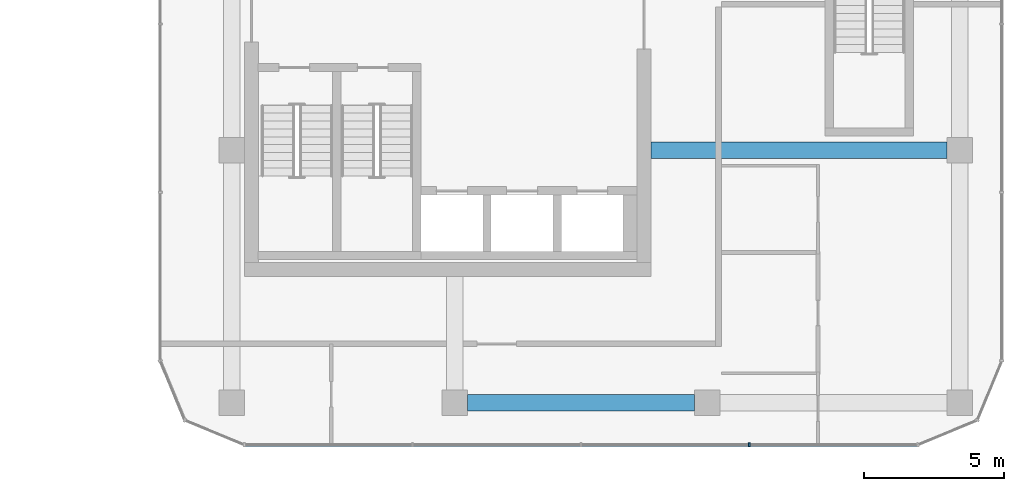
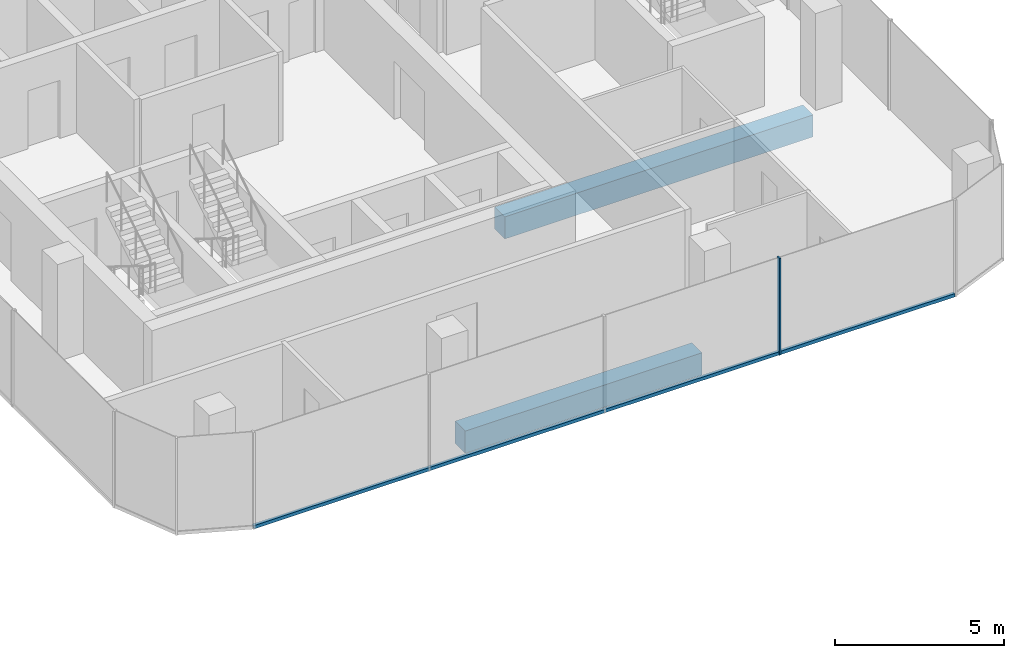
# One storey, part 8 of 22: 2 beams, 2 members, 1 element without a shape of its own.
"""IFC4 building model written with IfcOpenShell, lengths in metres."""

from ifc_helpers import new_model, si_unit, direction, frame, origin, origin_2d, place, context, subcontext, project, spatial, rectangle, extrude, material, layer, layer_set, material_profile, profile_set, type_object, element, aggregate, save


model = new_model("IFC4")

# Units and contexts
model_context = context("Model", 3, precision=1e-05, world=origin(), true_north=direction((0.0, 1.0)))
body_context = subcontext(model_context, "Body", "Model", "MODEL_VIEW")
ifc_project = project(units=[si_unit("LENGTHUNIT", "METRE"), si_unit("AREAUNIT", "SQUARE_METRE"), si_unit("VOLUMEUNIT", "CUBIC_METRE"), si_unit("PLANEANGLEUNIT", "RADIAN"), si_unit("MASSUNIT", "GRAM", prefix="KILO")], contexts=[model_context])

# Site, building, storey
site_placement = place(None, origin())
site = spatial("IfcSite", under=ifc_project, at=site_placement, CompositionType="ELEMENT")
building_placement = place(site_placement, origin())
building = spatial("IfcBuilding", under=site, at=building_placement, Name="Plateau Cross Towers", CompositionType="ELEMENT")
storey_placement = place(building_placement, frame((0.0, 0.0, 61.800048828125)))
storey = spatial("IfcBuildingStorey", under=building, at=storey_placement, Name="L15", CompositionType="ELEMENT", Elevation=61.800048828125)

# Beam
ifc_material_1 = material(Name="Concrete C60/75", Category="concrete")
ifc_material_profile_1 = material_profile(ifc_material_1, rectangle(XDim=0.60009765625, YDim=0.800048828125, at=origin_2d()), Name="RC 600x800")
ifc_profile_set_1 = profile_set([ifc_material_profile_1], Name="Concrete C60/75")
beam_type_1 = type_object("IfcBeamType", Name="Core beam RC 600x800", PredefinedType="BEAM", material=ifc_profile_set_1)
beam_1_placement = place(storey_placement, frame((89.5, 4.5, -0.650146484375), z_axis=(1.0, 0.0, 0.0), x_axis=(0.0, 1.0, 0.0)))
element("IfcBeam", 1, at=beam_1_placement, inside=storey, type_object=beam_type_1, Name="B-CB02@L15", PredefinedType="BEAM", context=body_context, shape_type="SweptSolid", body=[
    extrude(rectangle(XDim=0.60009765625, YDim=0.800048828125, at=origin_2d()), origin(), (0.0, 0.0, 1.0), 10.550048828125),
])

# Curtain wall, member
ifc_material_2 = material(Name="Dark low-iron glass", Category="glass")
ifc_layer = layer(ifc_material_2, 0.239990234375)
ifc_layer_set = layer_set([ifc_layer], Name="Dark low-iron glass")
curtain_wall_type = type_object("IfcCurtainWallType", Name="Curtain wall office unitised CW-F", PredefinedType="NOTDEFINED", material=ifc_layer_set)
curtain_wall_placement = place(storey_placement, origin())
curtain_wall = element("IfcCurtainWall", 2, at=curtain_wall_placement, inside=storey, type_object=curtain_wall_type, Name="ENV/B/L15/B750_-60", PredefinedType="NOTDEFINED")
ifc_material_3 = material(Name="Black anodised aluminium", Category="aluminium")
ifc_material_profile_2 = material_profile(ifc_material_3, rectangle(XDim=0.06005859375, YDim=0.139892578125, at=origin_2d()), Name="MULLION 60x140")
ifc_profile_set_2 = profile_set([ifc_material_profile_2], Name="Black anodised aluminium")
member_type_1 = type_object("IfcMemberType", Name="Mullion 60x140 office unitised", PredefinedType="MULLION", material=ifc_profile_set_2)
member_1_placement = place(storey_placement, frame((93.0, -6.0, -0.25), z_axis=(0.0, 0.0, 1.0), x_axis=(1.0, 0.0, 0.0)))
member_1 = element("IfcMember", 3, at=member_1_placement, type_object=member_type_1, Name="CW-F mullion 4", PredefinedType="MULLION", context=body_context, shape_type="SweptSolid", body=[
    extrude(rectangle(XDim=0.06005859375, YDim=0.139892578125, at=origin_2d()), origin(), (0.0, 0.0, 1.0), 3.5),
])

# Beam
ifc_material_profile_3 = material_profile(ifc_material_1, rectangle(XDim=0.60009765625, YDim=0.800048828125, at=origin_2d()), Name="RC 600x800")
ifc_profile_set_3 = profile_set([ifc_material_profile_3], Name="Concrete C60/75")
beam_type_2 = type_object("IfcBeamType", Name="Ring beam RC 600x800", PredefinedType="BEAM", material=ifc_profile_set_3)
beam_2_placement = place(storey_placement, frame((82.949951171875, -4.5, -0.650146484375), z_axis=(1.0, 0.0, 0.0), x_axis=(0.0, 1.0, 0.0)))
element("IfcBeam", 4, at=beam_2_placement, inside=storey, type_object=beam_type_2, Name="B-RB01@L15", PredefinedType="BEAM", context=body_context, shape_type="SweptSolid", body=[
    extrude(rectangle(XDim=0.60009765625, YDim=0.800048828125, at=origin_2d()), origin(), (0.0, 0.0, 1.0), 8.10009765625),
])

# Member
ifc_material_profile_4 = material_profile(ifc_material_3, rectangle(XDim=0.10009765625, YDim=0.1201171875, at=origin_2d()), Name="TRANSOM 100x120")
ifc_profile_set_4 = profile_set([ifc_material_profile_4], Name="Black anodised aluminium")
member_type_2 = type_object("IfcMemberType", Name="Transom 100x120 office unitised", PredefinedType="USERDEFINED", material=ifc_profile_set_4)
member_2_placement = place(storey_placement, frame((75.0, -6.0, -0.18994140625), z_axis=(1.0, 0.0, 0.0), x_axis=(0.0, 1.0, 0.0)))
member_2 = element("IfcMember", 5, at=member_2_placement, type_object=member_type_2, Name="CW-F transom", ObjectType="TRANSOM", PredefinedType="USERDEFINED", context=body_context, shape_type="SweptSolid", body=[
    extrude(rectangle(XDim=0.10009765625, YDim=0.1201171875, at=origin_2d()), origin(), (0.0, 0.0, 1.0), 24.0),
])

aggregate(curtain_wall, [member_1, member_2])

save(model, "model.ifc")
